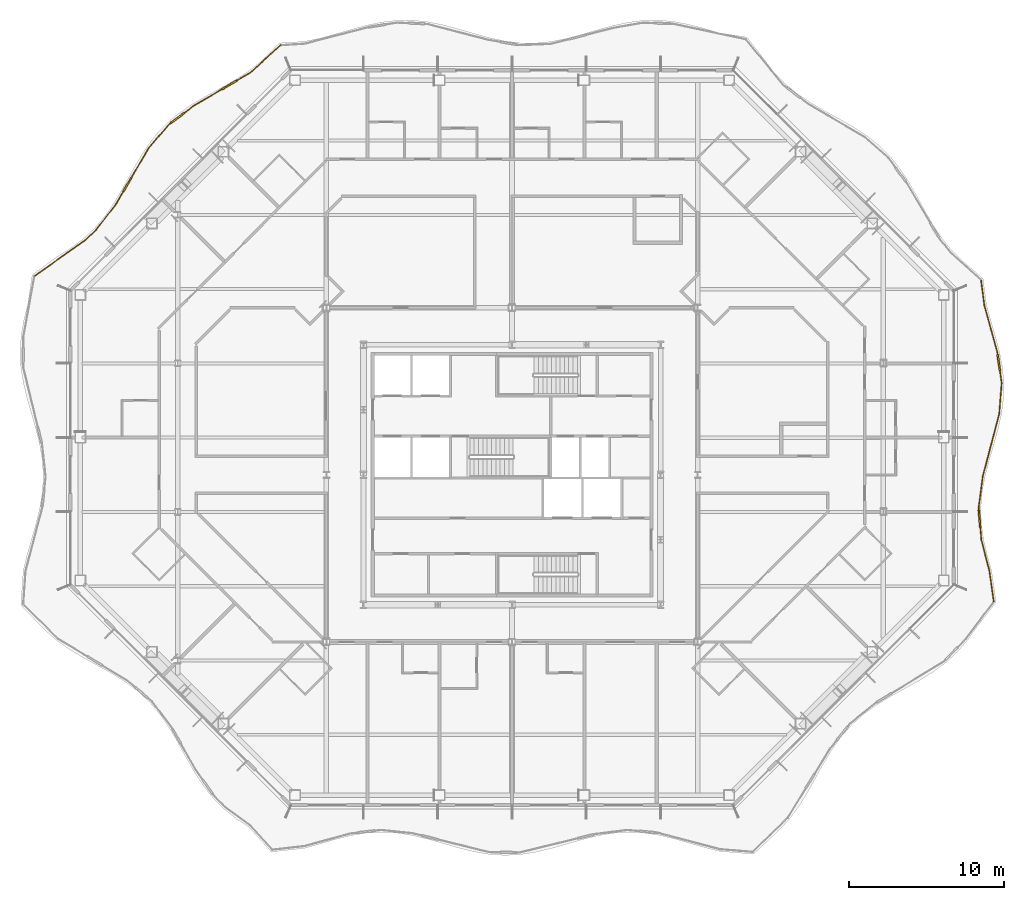
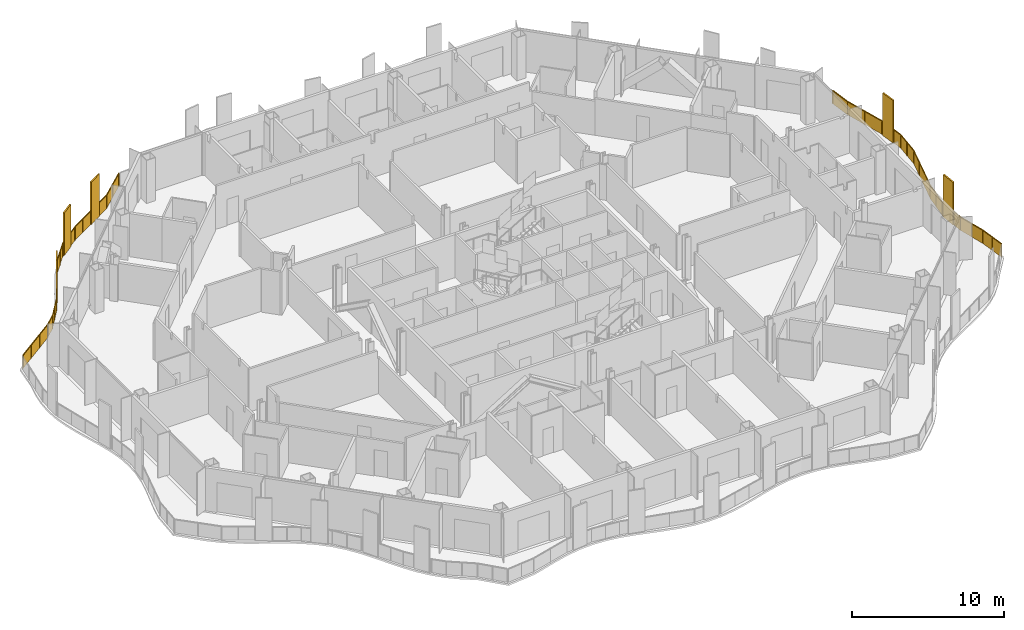
# One storey, part 20 of 21: 2 railings.
"""IFC4 building model written with IfcOpenShell, lengths in metres."""

from ifc_helpers import new_model, si_unit, direction, frame, origin, origin_2d, place, context, subcontext, project, spatial, polyline, rectangle, outline, extrude, material, type_object, element, save


model = new_model("IFC4")

# Units and contexts
model_context = context("Model", 3, precision=1e-05, world=origin(), true_north=direction((0.0, 1.0)))
body_context = subcontext(model_context, "Body", "Model", "MODEL_VIEW")
ifc_project = project(units=[si_unit("LENGTHUNIT", "METRE"), si_unit("AREAUNIT", "SQUARE_METRE"), si_unit("VOLUMEUNIT", "CUBIC_METRE"), si_unit("PLANEANGLEUNIT", "RADIAN"), si_unit("MASSUNIT", "GRAM", prefix="KILO")], contexts=[model_context])

# Site, building, storey
site_placement = place(None, origin())
site = spatial("IfcSite", under=ifc_project, at=site_placement, CompositionType="ELEMENT")
building_placement = place(site_placement, origin())
building = spatial("IfcBuilding", under=site, at=building_placement, Name="Cairn Pilgrim Tower", CompositionType="ELEMENT")
storey_placement = place(building_placement, frame((0.0, 0.0, 143.39990234375)))
storey = spatial("IfcBuildingStorey", under=building, at=storey_placement, Name="L35", CompositionType="ELEMENT", Elevation=143.39990234375)

# Railings
ifc_material = material(Name="Bronze anodised aluminium rail, posts and fin screens with laminated glass infill", Category="aluminium")
railing_type = type_object("IfcRailingType", Name="BALCONY GUARD WITH FIN SCREENS", PredefinedType="GUARDRAIL", material=ifc_material)
railing_1_placement = place(storey_placement, frame((38.334228515625, -5.791748046875, 0.0)))
element("IfcRailing", 1, at=railing_1_placement, inside=storey, type_object=railing_type, Name="Balcony guard BGF-3 with fin screens", PredefinedType="GUARDRAIL", context=body_context, shape_type="SweptSolid", body=[
    extrude(rectangle(XDim=0.050048828125, YDim=0.050048828125, at=origin_2d()), frame((0.0, 0.0, 1.0751953125), z_axis=(-0.142090127494, 0.98985372438, 0.0), x_axis=(-0.98985372438, -0.142090127494, 0.0)), (0.0, 0.0, 1.0), 1.9931640625),
    extrude(rectangle(XDim=0.050048828125, YDim=0.050048828125, at=origin_2d()), frame((-0.283203125, 1.972900390625, 1.0751953125), z_axis=(-0.248274202048, 0.968689795857, 0.0), x_axis=(-0.968689795857, -0.248274202048, 0.0)), (0.0, 0.0, 1.0), 2.090576171875),
    extrude(rectangle(XDim=1.10009765625, YDim=0.110107421875, at=origin_2d()), frame((-0.921142578125, 5.350341796875, 0.0), z_axis=(0.0, 0.0, 1.0), x_axis=(-0.087561390479, 0.996159125289, 0.0)), (0.0, 0.0, 1.0), 3.39990234375),
    extrude(rectangle(XDim=0.050048828125, YDim=0.050048828125, at=origin_2d()), frame((-0.80224609375, 3.998046875, 1.0751953125), z_axis=(-0.087561390479, 0.996159125289, 0.0), x_axis=(-0.996159125289, -0.087561390479, 0.0)), (0.0, 0.0, 1.0), 0.8076171875),
    extrude(rectangle(XDim=0.050048828125, YDim=0.050048828125, at=origin_2d()), frame((-0.96923828125, 5.898193359375, 1.0751953125), z_axis=(-0.087561390479, 0.996159125289, 0.0), x_axis=(-0.996159125289, -0.087561390479, 0.0)), (0.0, 0.0, 1.0), 0.150146484375),
    extrude(rectangle(XDim=0.050048828125, YDim=0.050048828125, at=origin_2d()), frame((-0.982421875, 6.0478515625, 1.0751953125), z_axis=(0.131846148613, 0.991270191772, 0.0), x_axis=(-0.991270191772, 0.131846148613, 0.0)), (0.0, 0.0, 1.0), 2.064697265625),
    extrude(rectangle(XDim=0.050048828125, YDim=0.050048828125, at=origin_2d()), frame((-0.710205078125, 8.094482421875, 1.0751953125), z_axis=(0.254553732128, 0.967058631862, 0.0), x_axis=(-0.967058631862, 0.254553732128, 0.0)), (0.0, 0.0, 1.0), 4.17578125),
    extrude(rectangle(XDim=0.050048828125, YDim=0.050048828125, at=origin_2d()), frame((0.352783203125, 12.1328125, 1.0751953125), z_axis=(0.078593798802, 0.996906723214, 0.0), x_axis=(-0.996906723214, 0.078593798802, 0.0)), (0.0, 0.0, 1.0), 1.997314453125),
    extrude(rectangle(XDim=1.10009765625, YDim=0.110107421875, at=origin_2d()), frame((0.32568359375, 15.426025390625, 0.0), z_axis=(0.0, 0.0, 1.0), x_axis=(-0.139962202714, 0.990156847076, 0.0)), (0.0, 0.0, 1.0), 3.39990234375),
    extrude(rectangle(XDim=0.050048828125, YDim=0.050048828125, at=origin_2d()), frame((0.509765625, 14.1240234375, 1.0751953125), z_axis=(-0.139962202714, 0.990156847076, 0.0), x_axis=(-0.990156847076, -0.139962202714, 0.0)), (0.0, 0.0, 1.0), 0.764892578125),
    extrude(rectangle(XDim=0.050048828125, YDim=0.050048828125, at=origin_2d()), frame((0.248779296875, 15.970458984375, 1.0751953125), z_axis=(-0.139962202714, 0.990156847076, 0.0), x_axis=(-0.990156847076, -0.139962202714, 0.0)), (0.0, 0.0, 1.0), 0.14990234375),
    extrude(rectangle(XDim=0.050048828125, YDim=0.050048828125, at=origin_2d()), frame((0.227783203125, 16.118896484375, 1.0751953125), z_axis=(-0.266831409856, 0.963743222396, 0.0), x_axis=(-0.963743222396, -0.266831409856, 0.0)), (0.0, 0.0, 1.0), 3.146484375),
    extrude(rectangle(XDim=0.050048828125, YDim=0.050048828125, at=origin_2d()), frame((-0.61181640625, 19.1513671875, 1.0751953125), z_axis=(-0.128981119614, 0.991647049501, 0.0), x_axis=(-0.991647049501, -0.128981119614, 0.0)), (0.0, 0.0, 1.0), 1.603271484375),
    extrude(rectangle(XDim=0.050048828125, YDim=0.050048828125, at=origin_2d()), origin(), (0.0, 0.0, 1.0), 1.050048828125),
    extrude(rectangle(XDim=0.050048828125, YDim=0.050048828125, at=origin_2d()), frame((-0.1416015625, 0.986328125, 0.0)), (0.0, 0.0, 1.0), 1.050048828125),
    extrude(rectangle(XDim=0.050048828125, YDim=0.050048828125, at=origin_2d()), frame((-0.283203125, 1.972900390625, 0.0)), (0.0, 0.0, 1.0), 1.050048828125),
    extrude(rectangle(XDim=0.050048828125, YDim=0.050048828125, at=origin_2d()), frame((-0.542724609375, 2.9853515625, 0.0)), (0.0, 0.0, 1.0), 1.050048828125),
    extrude(rectangle(XDim=0.050048828125, YDim=0.050048828125, at=origin_2d()), frame((-0.80224609375, 3.998046875, 0.0)), (0.0, 0.0, 1.0), 1.050048828125),
    extrude(rectangle(XDim=0.050048828125, YDim=0.050048828125, at=origin_2d()), frame((-0.870849609375, 4.777587890625, 0.0)), (0.0, 0.0, 1.0), 1.050048828125),
    extrude(rectangle(XDim=0.050048828125, YDim=0.050048828125, at=origin_2d()), frame((-0.971435546875, 5.92333984375, 0.0)), (0.0, 0.0, 1.0), 1.050048828125),
    extrude(rectangle(XDim=0.050048828125, YDim=0.050048828125, at=origin_2d()), frame((-0.982421875, 6.0478515625, 0.0)), (0.0, 0.0, 1.0), 1.050048828125),
    extrude(rectangle(XDim=0.050048828125, YDim=0.050048828125, at=origin_2d()), frame((-0.84619140625, 7.0712890625, 0.0)), (0.0, 0.0, 1.0), 1.050048828125),
    extrude(rectangle(XDim=0.050048828125, YDim=0.050048828125, at=origin_2d()), frame((-0.710205078125, 8.094482421875, 0.0)), (0.0, 0.0, 1.0), 1.050048828125),
    extrude(rectangle(XDim=0.050048828125, YDim=0.050048828125, at=origin_2d()), frame((-0.35595703125, 9.440673828125, 0.0)), (0.0, 0.0, 1.0), 1.050048828125),
    extrude(rectangle(XDim=0.050048828125, YDim=0.050048828125, at=origin_2d()), frame((-0.00146484375, 10.78662109375, 0.0)), (0.0, 0.0, 1.0), 1.050048828125),
    extrude(rectangle(XDim=0.050048828125, YDim=0.050048828125, at=origin_2d()), frame((0.352783203125, 12.1328125, 0.0)), (0.0, 0.0, 1.0), 1.050048828125),
    extrude(rectangle(XDim=0.050048828125, YDim=0.050048828125, at=origin_2d()), frame((0.43115234375, 13.12841796875, 0.0)), (0.0, 0.0, 1.0), 1.050048828125),
    extrude(rectangle(XDim=0.050048828125, YDim=0.050048828125, at=origin_2d()), frame((0.509765625, 14.1240234375, 0.0)), (0.0, 0.0, 1.0), 1.050048828125),
    extrude(rectangle(XDim=0.050048828125, YDim=0.050048828125, at=origin_2d()), frame((0.40625, 14.8564453125, 0.0)), (0.0, 0.0, 1.0), 1.050048828125),
    extrude(rectangle(XDim=0.050048828125, YDim=0.050048828125, at=origin_2d()), frame((0.245361328125, 15.995361328125, 0.0)), (0.0, 0.0, 1.0), 1.050048828125),
    extrude(rectangle(XDim=0.050048828125, YDim=0.050048828125, at=origin_2d()), frame((0.227783203125, 16.118896484375, 0.0)), (0.0, 0.0, 1.0), 1.050048828125),
    extrude(rectangle(XDim=0.050048828125, YDim=0.050048828125, at=origin_2d()), frame((-0.19189453125, 17.63525390625, 0.0)), (0.0, 0.0, 1.0), 1.050048828125),
    extrude(rectangle(XDim=0.050048828125, YDim=0.050048828125, at=origin_2d()), frame((-0.61181640625, 19.1513671875, 0.0)), (0.0, 0.0, 1.0), 1.050048828125),
    extrude(rectangle(XDim=0.050048828125, YDim=0.050048828125, at=origin_2d()), frame((-0.818603515625, 20.7412109375, 0.0)), (0.0, 0.0, 1.0), 1.050048828125),
    extrude(outline(polyline([(0.02490234375, 0.0), (0.971435546875, 0.0), (0.971435546875, 1.050048828125), (0.02490234375, 1.050048828125), (0.02490234375, 0.0)])), frame((-0.005859375, -0.000732421875, 0.0), z_axis=(0.98985372438, 0.142090127494, 0.0), x_axis=(-0.142090127494, 0.98985372438, 0.0)), (0.0, 0.0, 1.0), 0.011962890625),
    extrude(outline(polyline([(0.02490234375, 0.0), (0.971435546875, 0.0), (0.971435546875, 1.050048828125), (0.02490234375, 1.050048828125), (0.02490234375, 0.0)])), frame((-0.1474609375, 0.985595703125, 0.0), z_axis=(0.98985372438, 0.142090127494, 0.0), x_axis=(-0.142090127494, 0.98985372438, 0.0)), (0.0, 0.0, 1.0), 0.011962890625),
    extrude(outline(polyline([(0.02490234375, 0.0), (1.020263671875, 0.0), (1.020263671875, 1.050048828125), (0.02490234375, 1.050048828125), (0.02490234375, 0.0)])), frame((-0.2890625, 1.971435546875, 0.0), z_axis=(0.968689795857, 0.248274202048, 0.0), x_axis=(-0.248274202048, 0.968689795857, 0.0)), (0.0, 0.0, 1.0), 0.011962890625),
    extrude(outline(polyline([(0.02490234375, 0.0), (1.020263671875, 0.0), (1.020263671875, 1.050048828125), (0.02490234375, 1.050048828125), (0.02490234375, 0.0)])), frame((-0.548583984375, 2.98388671875, 0.0), z_axis=(0.968689795857, 0.248274202048, 0.0), x_axis=(-0.248274202048, 0.968689795857, 0.0)), (0.0, 0.0, 1.0), 0.011962890625),
    extrude(outline(polyline([(0.02490234375, 0.0), (0.757568359375, 0.0), (0.757568359375, 1.050048828125), (0.02490234375, 1.050048828125), (0.02490234375, 0.0)])), frame((-0.80810546875, 3.99755859375, 0.0), z_axis=(0.996159125289, 0.087561390479, 0.0), x_axis=(-0.087561390479, 0.996159125289, 0.0)), (0.0, 0.0, 1.0), 0.011962890625),
    extrude(outline(polyline([(0.02490234375, 0.0), (0.10009765625, 0.0), (0.10009765625, 1.050048828125), (0.02490234375, 1.050048828125), (0.02490234375, 0.0)])), frame((-0.9775390625, 5.922607421875, 0.0), z_axis=(0.996159125289, 0.087561390479, 0.0), x_axis=(-0.087561390479, 0.996159125289, 0.0)), (0.0, 0.0, 1.0), 0.011962890625),
    extrude(outline(polyline([(0.02490234375, 0.0), (1.00732421875, 0.0), (1.00732421875, 1.050048828125), (0.02490234375, 1.050048828125), (0.02490234375, 0.0)])), frame((-0.98828125, 6.048583984375, 0.0), z_axis=(0.991270191772, -0.131846148613, 0.0), x_axis=(0.131846148613, 0.991270191772, 0.0)), (0.0, 0.0, 1.0), 0.011962890625),
    extrude(outline(polyline([(0.02490234375, 0.0), (1.00732421875, 0.0), (1.00732421875, 1.050048828125), (0.02490234375, 1.050048828125), (0.02490234375, 0.0)])), frame((-0.852294921875, 7.072021484375, 0.0), z_axis=(0.991270191772, -0.131846148613, 0.0), x_axis=(0.131846148613, 0.991270191772, 0.0)), (0.0, 0.0, 1.0), 0.011962890625),
    extrude(outline(polyline([(0.02490234375, 0.0), (1.366943359375, 0.0), (1.366943359375, 1.050048828125), (0.02490234375, 1.050048828125), (0.02490234375, 0.0)])), frame((-0.716064453125, 8.095947265625, 0.0), z_axis=(0.967058631862, -0.254553732128, 0.0), x_axis=(0.254553732128, 0.967058631862, 0.0)), (0.0, 0.0, 1.0), 0.011962890625),
    extrude(outline(polyline([(0.02490234375, 0.0), (1.366943359375, 0.0), (1.366943359375, 1.050048828125), (0.02490234375, 1.050048828125), (0.02490234375, 0.0)])), frame((-0.361572265625, 9.442138671875, 0.0), z_axis=(0.967058631862, -0.254553732128, 0.0), x_axis=(0.254553732128, 0.967058631862, 0.0)), (0.0, 0.0, 1.0), 0.011962890625),
    extrude(outline(polyline([(0.02490234375, 0.0), (1.366943359375, 0.0), (1.366943359375, 1.050048828125), (0.02490234375, 1.050048828125), (0.02490234375, 0.0)])), frame((-0.00732421875, 10.788330078125, 0.0), z_axis=(0.967058631862, -0.254553732128, 0.0), x_axis=(0.254553732128, 0.967058631862, 0.0)), (0.0, 0.0, 1.0), 0.011962890625),
    extrude(outline(polyline([(0.02490234375, 0.0), (0.9736328125, 0.0), (0.9736328125, 1.050048828125), (0.02490234375, 1.050048828125), (0.02490234375, 0.0)])), frame((0.346923828125, 12.13330078125, 0.0), z_axis=(0.996906723214, -0.078593798802, 0.0), x_axis=(0.078593798802, 0.996906723214, 0.0)), (0.0, 0.0, 1.0), 0.011962890625),
    extrude(outline(polyline([(0.02490234375, 0.0), (0.9736328125, 0.0), (0.9736328125, 1.050048828125), (0.02490234375, 1.050048828125), (0.02490234375, 0.0)])), frame((0.42529296875, 13.12890625, 0.0), z_axis=(0.996906723214, -0.078593798802, 0.0), x_axis=(0.078593798802, 0.996906723214, 0.0)), (0.0, 0.0, 1.0), 0.011962890625),
    extrude(outline(polyline([(0.02490234375, 0.0), (0.71484375, 0.0), (0.71484375, 1.050048828125), (0.02490234375, 1.050048828125), (0.02490234375, 0.0)])), frame((0.50390625, 14.123291015625, 0.0), z_axis=(0.990156847076, 0.139962202714, 0.0), x_axis=(-0.139962202714, 0.990156847076, 0.0)), (0.0, 0.0, 1.0), 0.011962890625),
    extrude(outline(polyline([(0.02490234375, 0.0), (0.099853515625, 0.0), (0.099853515625, 1.050048828125), (0.02490234375, 1.050048828125), (0.02490234375, 0.0)])), frame((0.2392578125, 15.994384765625, 0.0), z_axis=(0.990156847076, 0.139962202714, 0.0), x_axis=(-0.139962202714, 0.990156847076, 0.0)), (0.0, 0.0, 1.0), 0.011962890625),
    extrude(outline(polyline([(0.02490234375, 0.0), (1.54833984375, 0.0), (1.54833984375, 1.050048828125), (0.02490234375, 1.050048828125), (0.02490234375, 0.0)])), frame((0.221923828125, 16.1171875, 0.0), z_axis=(0.963743222396, 0.266831409856, 0.0), x_axis=(-0.266831409856, 0.963743222396, 0.0)), (0.0, 0.0, 1.0), 0.011962890625),
    extrude(outline(polyline([(0.02490234375, 0.0), (1.54833984375, 0.0), (1.54833984375, 1.050048828125), (0.02490234375, 1.050048828125), (0.02490234375, 0.0)])), frame((-0.19775390625, 17.633544921875, 0.0), z_axis=(0.963743222396, 0.266831409856, 0.0), x_axis=(-0.266831409856, 0.963743222396, 0.0)), (0.0, 0.0, 1.0), 0.011962890625),
    extrude(outline(polyline([(0.02490234375, 0.0), (1.578125, 0.0), (1.578125, 1.050048828125), (0.02490234375, 1.050048828125), (0.02490234375, 0.0)])), frame((-0.61767578125, 19.150634765625, 0.0), z_axis=(0.991647049501, 0.128981119614, 0.0), x_axis=(-0.128981119614, 0.991647049501, 0.0)), (0.0, 0.0, 1.0), 0.011962890625),
])
railing_2_placement = place(storey_placement, frame((-7.764404296875, 30.16650390625, 0.0)))
element("IfcRailing", 2, at=railing_2_placement, inside=storey, type_object=railing_type, Name="Balcony guard BGF-6 with fin screens", PredefinedType="GUARDRAIL", context=body_context, shape_type="SweptSolid", body=[
    extrude(rectangle(XDim=0.050048828125, YDim=0.050048828125, at=origin_2d()), frame((0.0, 0.0, 1.0751953125), z_axis=(-0.739389429357, -0.673278004806, 0.0), x_axis=(0.673278004806, -0.739389429357, 0.0)), (0.0, 0.0, 1.0), 2.62939453125),
    extrude(rectangle(XDim=1.10009765625, YDim=0.110107421875, at=origin_2d()), frame((-3.29833984375, -2.56396484375, 0.0), z_axis=(0.0, 0.0, 1.0), x_axis=(-0.862735424499, -0.505655601487, 0.0)), (0.0, 0.0, 1.0), 3.39990234375),
    extrude(rectangle(XDim=0.050048828125, YDim=0.050048828125, at=origin_2d()), frame((-1.944091796875, -1.770263671875, 1.0751953125), z_axis=(-0.862735424499, -0.505655601487, 0.0), x_axis=(0.505655601487, -0.862735424499, 0.0)), (0.0, 0.0, 1.0), 1.019775390625),
    extrude(rectangle(XDim=0.050048828125, YDim=0.050048828125, at=origin_2d()), frame((-3.77294921875, -2.842041015625, 1.0751953125), z_axis=(-0.862735424499, -0.505655601487, 0.0), x_axis=(0.505655601487, -0.862735424499, 0.0)), (0.0, 0.0, 1.0), 2.0966796875),
    extrude(rectangle(XDim=1.10009765625, YDim=0.110107421875, at=origin_2d()), frame((-6.64892578125, -4.700439453125, 0.0), z_axis=(0.0, 0.0, 1.0), x_axis=(-0.800820851081, -0.598903969325, 0.0)), (0.0, 0.0, 1.0), 3.39990234375),
    extrude(rectangle(XDim=0.050048828125, YDim=0.050048828125, at=origin_2d()), frame((-5.581787109375, -3.90234375, 1.0751953125), z_axis=(-0.800820851081, -0.598903969325, 0.0), x_axis=(0.598903969325, -0.800820851081, 0.0)), (0.0, 0.0, 1.0), 0.78271484375),
    extrude(rectangle(XDim=0.050048828125, YDim=0.050048828125, at=origin_2d()), frame((-7.08935546875, -5.02978515625, 1.0751953125), z_axis=(-0.800820851081, -0.598903969325, 0.0), x_axis=(0.598903969325, -0.800820851081, 0.0)), (0.0, 0.0, 1.0), 0.14990234375),
    extrude(rectangle(XDim=0.050048828125, YDim=0.050048828125, at=origin_2d()), frame((-7.20947265625, -5.11962890625, 1.0751953125), z_axis=(-0.650601533978, -0.759419280757, 0.0), x_axis=(0.759419280757, -0.650601533978, 0.0)), (0.0, 0.0, 1.0), 2.012451171875),
    extrude(rectangle(XDim=1.10009765625, YDim=0.110107421875, at=origin_2d()), frame((-9.890380859375, -8.99755859375, 0.0), z_axis=(0.0, 0.0, 1.0), x_axis=(-0.504141594648, -0.863621012103, 0.0)), (0.0, 0.0, 1.0), 3.39990234375),
    extrude(rectangle(XDim=0.050048828125, YDim=0.050048828125, at=origin_2d()), frame((-8.518798828125, -6.64794921875, 1.0751953125), z_axis=(-0.504141594648, -0.863621012103, 0.0), x_axis=(0.863621012103, -0.504141594648, 0.0)), (0.0, 0.0, 1.0), 2.170654296875),
    extrude(rectangle(XDim=0.050048828125, YDim=0.050048828125, at=origin_2d()), frame((-10.167724609375, -9.47265625, 1.0751953125), z_axis=(-0.504141594648, -0.863621012103, 0.0), x_axis=(0.863621012103, -0.504141594648, 0.0)), (0.0, 0.0, 1.0), 0.9365234375),
    extrude(rectangle(XDim=0.050048828125, YDim=0.050048828125, at=origin_2d()), frame((-10.639892578125, -10.281494140625, 1.0751953125), z_axis=(-0.610188107083, -0.7922565708, 0.0), x_axis=(0.7922565708, -0.610188107083, 0.0)), (0.0, 0.0, 1.0), 2.07568359375),
    extrude(rectangle(XDim=0.050048828125, YDim=0.050048828125, at=origin_2d()), frame((-11.906494140625, -11.926025390625, 1.0751953125), z_axis=(-0.733327659899, -0.679875388014, 0.0), x_axis=(0.679875388014, -0.733327659899, 0.0)), (0.0, 0.0, 1.0), 1.041259765625),
    extrude(rectangle(XDim=0.050048828125, YDim=0.050048828125, at=origin_2d()), frame((-12.670166015625, -12.634033203125, 1.0751953125), z_axis=(-0.816020808678, -0.578022525344, 0.0), x_axis=(0.578022525344, -0.816020808678, 0.0)), (0.0, 0.0, 1.0), 3.919677734375),
    extrude(rectangle(XDim=0.050048828125, YDim=0.050048828125, at=origin_2d()), origin(), (0.0, 0.0, 1.0), 1.050048828125),
    extrude(rectangle(XDim=0.050048828125, YDim=0.050048828125, at=origin_2d()), frame((-0.97216796875, -0.88525390625, 0.0)), (0.0, 0.0, 1.0), 1.050048828125),
    extrude(rectangle(XDim=0.050048828125, YDim=0.050048828125, at=origin_2d()), frame((-1.944091796875, -1.770263671875, 0.0)), (0.0, 0.0, 1.0), 1.050048828125),
    extrude(rectangle(XDim=0.050048828125, YDim=0.050048828125, at=origin_2d()), frame((-2.80224609375, -2.273193359375, 0.0)), (0.0, 0.0, 1.0), 1.050048828125),
    extrude(rectangle(XDim=0.050048828125, YDim=0.050048828125, at=origin_2d()), frame((-3.79443359375, -2.854736328125, 0.0)), (0.0, 0.0, 1.0), 1.050048828125),
    extrude(rectangle(XDim=0.050048828125, YDim=0.050048828125, at=origin_2d()), frame((-4.688232421875, -3.378662109375, 0.0)), (0.0, 0.0, 1.0), 1.050048828125),
    extrude(rectangle(XDim=0.050048828125, YDim=0.050048828125, at=origin_2d()), frame((-5.581787109375, -3.90234375, 0.0)), (0.0, 0.0, 1.0), 1.050048828125),
    extrude(rectangle(XDim=0.050048828125, YDim=0.050048828125, at=origin_2d()), frame((-6.1884765625, -4.35595703125, 0.0)), (0.0, 0.0, 1.0), 1.050048828125),
    extrude(rectangle(XDim=0.050048828125, YDim=0.050048828125, at=origin_2d()), frame((-7.109375, -5.044921875, 0.0)), (0.0, 0.0, 1.0), 1.050048828125),
    extrude(rectangle(XDim=0.050048828125, YDim=0.050048828125, at=origin_2d()), frame((-7.20947265625, -5.11962890625, 0.0)), (0.0, 0.0, 1.0), 1.050048828125),
    extrude(rectangle(XDim=0.050048828125, YDim=0.050048828125, at=origin_2d()), frame((-7.8642578125, -5.8837890625, 0.0)), (0.0, 0.0, 1.0), 1.050048828125),
    extrude(rectangle(XDim=0.050048828125, YDim=0.050048828125, at=origin_2d()), frame((-8.518798828125, -6.64794921875, 0.0)), (0.0, 0.0, 1.0), 1.050048828125),
    extrude(rectangle(XDim=0.050048828125, YDim=0.050048828125, at=origin_2d()), frame((-9.0595703125, -7.574462890625, 0.0)), (0.0, 0.0, 1.0), 1.050048828125),
    extrude(rectangle(XDim=0.050048828125, YDim=0.050048828125, at=origin_2d()), frame((-9.6005859375, -8.5009765625, 0.0)), (0.0, 0.0, 1.0), 1.050048828125),
    extrude(rectangle(XDim=0.050048828125, YDim=0.050048828125, at=origin_2d()), frame((-10.180419921875, -9.494140625, 0.0)), (0.0, 0.0, 1.0), 1.050048828125),
    extrude(rectangle(XDim=0.050048828125, YDim=0.050048828125, at=origin_2d()), frame((-10.639892578125, -10.281494140625, 0.0)), (0.0, 0.0, 1.0), 1.050048828125),
    extrude(rectangle(XDim=0.050048828125, YDim=0.050048828125, at=origin_2d()), frame((-11.273193359375, -11.103759765625, 0.0)), (0.0, 0.0, 1.0), 1.050048828125),
    extrude(rectangle(XDim=0.050048828125, YDim=0.050048828125, at=origin_2d()), frame((-11.906494140625, -11.926025390625, 0.0)), (0.0, 0.0, 1.0), 1.050048828125),
    extrude(rectangle(XDim=0.050048828125, YDim=0.050048828125, at=origin_2d()), frame((-12.670166015625, -12.634033203125, 0.0)), (0.0, 0.0, 1.0), 1.050048828125),
    extrude(rectangle(XDim=0.050048828125, YDim=0.050048828125, at=origin_2d()), frame((-13.736328125, -13.38916015625, 0.0)), (0.0, 0.0, 1.0), 1.050048828125),
    extrude(rectangle(XDim=0.050048828125, YDim=0.050048828125, at=origin_2d()), frame((-14.802490234375, -14.14453125, 0.0)), (0.0, 0.0, 1.0), 1.050048828125),
    extrude(rectangle(XDim=0.050048828125, YDim=0.050048828125, at=origin_2d()), frame((-15.86865234375, -14.899658203125, 0.0)), (0.0, 0.0, 1.0), 1.050048828125),
    extrude(outline(polyline([(0.02490234375, 0.0), (1.28955078125, 0.0), (1.28955078125, 1.050048828125), (0.02490234375, 1.050048828125), (0.02490234375, 0.0)])), frame((0.00390625, -0.00439453125, 0.0), z_axis=(-0.673278004806, 0.739389429357, 0.0), x_axis=(-0.739389429357, -0.673278004806, 0.0)), (0.0, 0.0, 1.0), 0.011962890625),
    extrude(outline(polyline([(0.02490234375, 0.0), (1.28955078125, 0.0), (1.28955078125, 1.050048828125), (0.02490234375, 1.050048828125), (0.02490234375, 0.0)])), frame((-0.968017578125, -0.8896484375, 0.0), z_axis=(-0.673278004806, 0.739389429357, 0.0), x_axis=(-0.739389429357, -0.673278004806, 0.0)), (0.0, 0.0, 1.0), 0.011962890625),
    extrude(outline(polyline([(0.02490234375, 0.0), (0.9697265625, 0.0), (0.9697265625, 1.050048828125), (0.02490234375, 1.050048828125), (0.02490234375, 0.0)])), frame((-1.941162109375, -1.775390625, 0.0), z_axis=(-0.505655601487, 0.862735424499, 0.0), x_axis=(-0.862735424499, -0.505655601487, 0.0)), (0.0, 0.0, 1.0), 0.011962890625),
    extrude(outline(polyline([(0.02490234375, 0.0), (1.0107421875, 0.0), (1.0107421875, 1.050048828125), (0.02490234375, 1.050048828125), (0.02490234375, 0.0)])), frame((-3.79150390625, -2.85986328125, 0.0), z_axis=(-0.505655601487, 0.862735424499, 0.0), x_axis=(-0.862735424499, -0.505655601487, 0.0)), (0.0, 0.0, 1.0), 0.011962890625),
    extrude(outline(polyline([(0.02490234375, 0.0), (1.0107421875, 0.0), (1.0107421875, 1.050048828125), (0.02490234375, 1.050048828125), (0.02490234375, 0.0)])), frame((-4.68505859375, -3.3837890625, 0.0), z_axis=(-0.505655601487, 0.862735424499, 0.0), x_axis=(-0.862735424499, -0.505655601487, 0.0)), (0.0, 0.0, 1.0), 0.011962890625),
    extrude(outline(polyline([(0.02490234375, 0.0), (0.732666015625, 0.0), (0.732666015625, 1.050048828125), (0.02490234375, 1.050048828125), (0.02490234375, 0.0)])), frame((-5.578125, -3.9072265625, 0.0), z_axis=(-0.598903969325, 0.800820851081, 0.0), x_axis=(-0.800820851081, -0.598903969325, 0.0)), (0.0, 0.0, 1.0), 0.011962890625),
    extrude(outline(polyline([(0.02490234375, 0.0), (0.099853515625, 0.0), (0.099853515625, 1.050048828125), (0.02490234375, 1.050048828125), (0.02490234375, 0.0)])), frame((-7.10595703125, -5.049560546875, 0.0), z_axis=(-0.598903969325, 0.800820851081, 0.0), x_axis=(-0.800820851081, -0.598903969325, 0.0)), (0.0, 0.0, 1.0), 0.011962890625),
    extrude(outline(polyline([(0.02490234375, 0.0), (0.981201171875, 0.0), (0.981201171875, 1.050048828125), (0.02490234375, 1.050048828125), (0.02490234375, 0.0)])), frame((-7.204833984375, -5.12353515625, 0.0), z_axis=(-0.759419280757, 0.650601533978, 0.0), x_axis=(-0.650601533978, -0.759419280757, 0.0)), (0.0, 0.0, 1.0), 0.011962890625),
    extrude(outline(polyline([(0.02490234375, 0.0), (0.981201171875, 0.0), (0.981201171875, 1.050048828125), (0.02490234375, 1.050048828125), (0.02490234375, 0.0)])), frame((-7.859619140625, -5.8876953125, 0.0), z_axis=(-0.759419280757, 0.650601533978, 0.0), x_axis=(-0.650601533978, -0.759419280757, 0.0)), (0.0, 0.0, 1.0), 0.011962890625),
    extrude(outline(polyline([(0.02490234375, 0.0), (1.0478515625, 0.0), (1.0478515625, 1.050048828125), (0.02490234375, 1.050048828125), (0.02490234375, 0.0)])), frame((-8.513671875, -6.65087890625, 0.0), z_axis=(-0.863621012103, 0.504141594648, 0.0), x_axis=(-0.504141594648, -0.863621012103, 0.0)), (0.0, 0.0, 1.0), 0.011962890625),
    extrude(outline(polyline([(0.02490234375, 0.0), (1.0478515625, 0.0), (1.0478515625, 1.050048828125), (0.02490234375, 1.050048828125), (0.02490234375, 0.0)])), frame((-9.054443359375, -7.577392578125, 0.0), z_axis=(-0.863621012103, 0.504141594648, 0.0), x_axis=(-0.504141594648, -0.863621012103, 0.0)), (0.0, 0.0, 1.0), 0.011962890625),
    extrude(outline(polyline([(0.02490234375, 0.0), (0.886474609375, 0.0), (0.886474609375, 1.050048828125), (0.02490234375, 1.050048828125), (0.02490234375, 0.0)])), frame((-10.175048828125, -9.497314453125, 0.0), z_axis=(-0.863621012103, 0.504141594648, 0.0), x_axis=(-0.504141594648, -0.863621012103, 0.0)), (0.0, 0.0, 1.0), 0.011962890625),
    extrude(outline(polyline([(0.02490234375, 0.0), (1.012939453125, 0.0), (1.012939453125, 1.050048828125), (0.02490234375, 1.050048828125), (0.02490234375, 0.0)])), frame((-10.63525390625, -10.28515625, 0.0), z_axis=(-0.7922565708, 0.610188107083, 0.0), x_axis=(-0.610188107083, -0.7922565708, 0.0)), (0.0, 0.0, 1.0), 0.011962890625),
    extrude(outline(polyline([(0.02490234375, 0.0), (1.012939453125, 0.0), (1.012939453125, 1.050048828125), (0.02490234375, 1.050048828125), (0.02490234375, 0.0)])), frame((-11.2685546875, -11.107421875, 0.0), z_axis=(-0.7922565708, 0.610188107083, 0.0), x_axis=(-0.610188107083, -0.7922565708, 0.0)), (0.0, 0.0, 1.0), 0.011962890625),
    extrude(outline(polyline([(0.02490234375, 0.0), (1.016357421875, 0.0), (1.016357421875, 1.050048828125), (0.02490234375, 1.050048828125), (0.02490234375, 0.0)])), frame((-11.90234375, -11.930419921875, 0.0), z_axis=(-0.679875388014, 0.733327659899, 0.0), x_axis=(-0.733327659899, -0.679875388014, 0.0)), (0.0, 0.0, 1.0), 0.011962890625),
    extrude(outline(polyline([(0.02490234375, 0.0), (1.281494140625, 0.0), (1.281494140625, 1.050048828125), (0.02490234375, 1.050048828125), (0.02490234375, 0.0)])), frame((-12.666748046875, -12.638916015625, 0.0), z_axis=(-0.578022525344, 0.816020808678, 0.0), x_axis=(-0.816020808678, -0.578022525344, 0.0)), (0.0, 0.0, 1.0), 0.011962890625),
    extrude(outline(polyline([(0.02490234375, 0.0), (1.281494140625, 0.0), (1.281494140625, 1.050048828125), (0.02490234375, 1.050048828125), (0.02490234375, 0.0)])), frame((-13.73291015625, -13.39404296875, 0.0), z_axis=(-0.578022525344, 0.816020808678, 0.0), x_axis=(-0.816020808678, -0.578022525344, 0.0)), (0.0, 0.0, 1.0), 0.011962890625),
    extrude(outline(polyline([(0.02490234375, 0.0), (1.281494140625, 0.0), (1.281494140625, 1.050048828125), (0.02490234375, 1.050048828125), (0.02490234375, 0.0)])), frame((-14.799072265625, -14.1494140625, 0.0), z_axis=(-0.578022525344, 0.816020808678, 0.0), x_axis=(-0.816020808678, -0.578022525344, 0.0)), (0.0, 0.0, 1.0), 0.011962890625),
])

save(model, "model.ifc")
